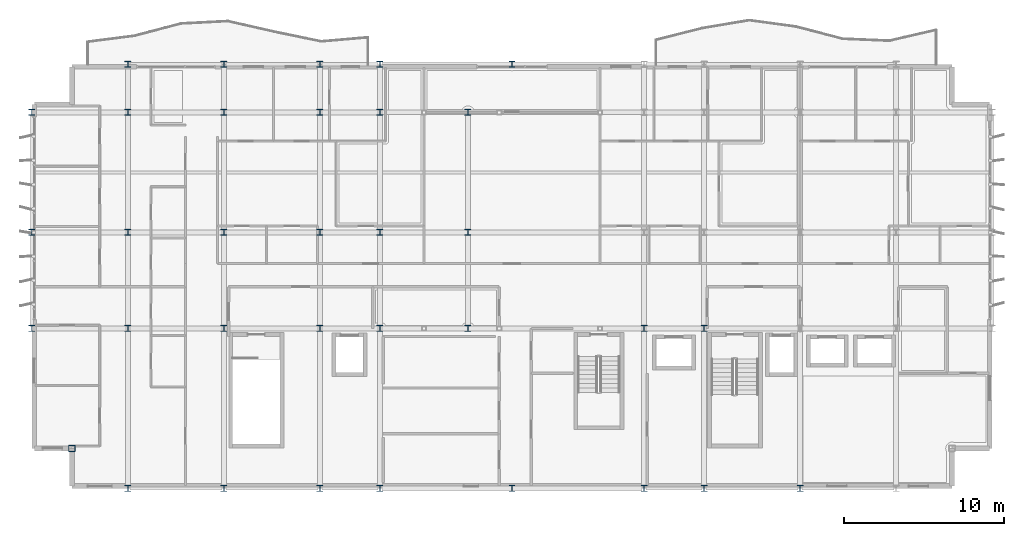
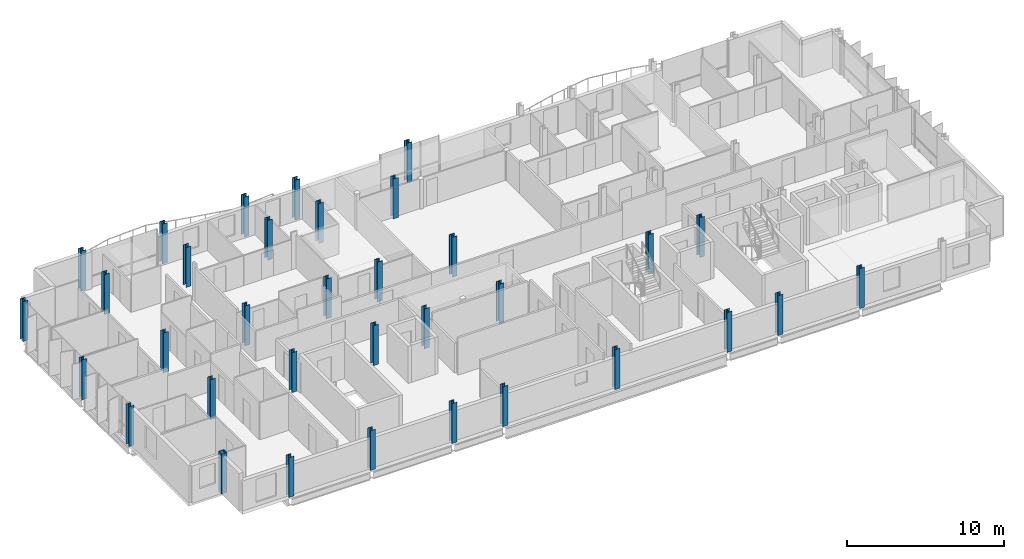
# One storey, part 1 of 35: 34 columns.
"""IFC4 building model written with IfcOpenShell, lengths in metres."""

from ifc_helpers import new_model, si_unit, direction, frame, origin, origin_2d, place, context, subcontext, project, spatial, hollow_rectangle, i_section, extrude, material, material_profile, profile_set, type_object, element, save


model = new_model("IFC4")

# Units and contexts
model_context = context("Model", 3, precision=1e-05, world=origin(), true_north=direction((0.0, 1.0)))
body_context = subcontext(model_context, "Body", "Model", "MODEL_VIEW")
ifc_project = project(units=[si_unit("LENGTHUNIT", "METRE"), si_unit("AREAUNIT", "SQUARE_METRE"), si_unit("VOLUMEUNIT", "CUBIC_METRE"), si_unit("PLANEANGLEUNIT", "RADIAN"), si_unit("MASSUNIT", "GRAM", prefix="KILO")], contexts=[model_context])

# Site, building, storey
site_placement = place(None, origin())
site = spatial("IfcSite", under=ifc_project, at=site_placement, CompositionType="ELEMENT")
building_placement = place(site_placement, origin())
building = spatial("IfcBuilding", under=site, at=building_placement, Name="Brevholm Reach", CompositionType="ELEMENT")
storey_placement = place(building_placement, frame((0.0, 0.0, 218.0)))
storey = spatial("IfcBuildingStorey", under=building, at=storey_placement, Name="L66", CompositionType="ELEMENT", Elevation=218.0)

# Columns
ifc_material_1 = material(Name="Structural Steel S460NH", Category="steel")
ifc_material_profile_1 = material_profile(ifc_material_1, hollow_rectangle(XDim=0.39990234375, YDim=0.39990234375, WallThickness=0.02001953125, InnerFilletRadius=0.011962890625, OuterFilletRadius=0.02392578125, at=origin_2d()), Name="SHS 400x400x20")
ifc_profile_set_1 = profile_set([ifc_material_profile_1], Name="Structural Steel S460NH")
column_type_1 = type_object("IfcColumnType", Name="COL-SHS2", PredefinedType="COLUMN", material=ifc_profile_set_1)
column_placement = place(storey_placement, frame((2.5, 2.5, 0.0), z_axis=(0.0, 0.0, 1.0), x_axis=(1.0, 0.0, 0.0)))
element("IfcColumn", 1, at=column_placement, inside=storey, type_object=column_type_1, Name="L66 Column 04", PredefinedType="COLUMN", context=body_context, shape_type="SweptSolid", body=[
    extrude(hollow_rectangle(XDim=0.39990234375, YDim=0.39990234375, WallThickness=0.02001953125, InnerFilletRadius=0.011962890625, OuterFilletRadius=0.02392578125, at=origin_2d()), origin(), (0.0, 0.0, 1.0), 3.10009765625),
])
ifc_material_2 = material(Name="Structural Steel S355J2", Category="steel")
ifc_material_profile_2 = material_profile(ifc_material_2, i_section(OverallWidth=0.374755859375, OverallDepth=0.37451171875, WebThickness=0.0166015625, FlangeThickness=0.027099609375, FilletRadius=0.01513671875, at=origin_2d()), Name="UKC 356x368x202")
ifc_profile_set_2 = profile_set([ifc_material_profile_2], Name="Structural Steel S355J2")
column_type_2 = type_object("IfcColumnType", Name="COL-UC6", PredefinedType="COLUMN", material=ifc_profile_set_2)
for number, where, z_axis, x_axis, name in (
    (2, (0.0, 10.0, 0.0), (0.0, 0.0, 1.0), (1.0, 0.0, 0.0), "L66 Column 01"),
    (3, (0.0, 16.0, 0.0), (0.0, 0.0, 1.0), (1.0, 0.0, 0.0), "L66 Column 02"),
    (4, (0.0, 23.5, 0.0), (0.0, 0.0, 1.0), (1.0, 0.0, 0.0), "L66 Column 03"),
    (5, (6.0, 0.0, 0.0), (0.0, 0.0, 1.0), (1.0, 0.0, 0.0), "L66 Column 05"),
    (6, (6.0, 10.0, 0.0), (0.0, 0.0, 1.0), (1.0, 0.0, 0.0), "L66 Column 06"),
    (7, (6.0, 16.0, 0.0), (0.0, 0.0, 1.0), (1.0, 0.0, 0.0), "L66 Column 07"),
    (8, (6.0, 23.5, 0.0), (0.0, 0.0, 1.0), (1.0, 0.0, 0.0), "L66 Column 08"),
    (9, (6.0, 26.5, 0.0), (0.0, 0.0, 1.0), (1.0, 0.0, 0.0), "L66 Column 09"),
    (10, (12.0, 0.0, 0.0), (0.0, 0.0, 1.0), (1.0, 0.0, 0.0), "L66 Column 10"),
    (11, (12.0, 10.0, 0.0), (0.0, 0.0, 1.0), (1.0, 0.0, 0.0), "L66 Column 11"),
    (12, (12.0, 16.0, 0.0), (0.0, 0.0, 1.0), (1.0, 0.0, 0.0), "L66 Column 12"),
    (13, (12.0, 23.5, 0.0), (0.0, 0.0, 1.0), (1.0, 0.0, 0.0), "L66 Column 13"),
    (14, (12.0, 26.5, 0.0), (0.0, 0.0, 1.0), (1.0, 0.0, 0.0), "L66 Column 14"),
    (15, (18.0, 0.0, 0.0), (0.0, 0.0, 1.0), (1.0, 0.0, 0.0), "L66 Column 15"),
    (16, (18.0, 10.0, 0.0), (0.0, 0.0, 1.0), (1.0, 0.0, 0.0), "L66 Column 16"),
    (17, (18.0, 16.0, 0.0), (0.0, 0.0, 1.0), (1.0, 0.0, 0.0), "L66 Column 17"),
    (18, (18.0, 23.5, 0.0), (0.0, 0.0, 1.0), (1.0, 0.0, 0.0), "L66 Column 18"),
    (19, (18.0, 26.5, 0.0), (0.0, 0.0, 1.0), (1.0, 0.0, 0.0), "L66 Column 19"),
    (20, (21.75, 0.0, 0.0), (0.0, 0.0, 1.0), (1.0, 0.0, 0.0), "L66 Column 20"),
    (21, (21.75, 10.0, 0.0), (0.0, 0.0, 1.0), (1.0, 0.0, 0.0), "L66 Column 21"),
    (22, (21.75, 16.0, 0.0), (0.0, 0.0, 1.0), (1.0, 0.0, 0.0), "L66 Column 22"),
    (23, (21.75, 23.5, 0.0), (0.0, 0.0, 1.0), (1.0, 0.0, 0.0), "L66 Column 23"),
    (24, (21.75, 26.5, 0.0), (0.0, 0.0, 1.0), (1.0, 0.0, 0.0), "L66 Column 24"),
    (25, (27.25, 10.0, 0.0), (0.0, 0.0, 1.0), (1.0, 0.0, 0.0), "L66 Column 25"),
    (26, (27.25, 16.0, 0.0), (0.0, 0.0, 1.0), (1.0, 0.0, 0.0), "L66 Column 26"),
    (27, (27.25, 23.5, 0.0), (0.0, 0.0, 1.0), (1.0, 0.0, 0.0), "L66 Column 27"),
    (28, (30.0, 0.0, 0.0), (0.0, 0.0, 1.0), (1.0, 0.0, 0.0), "L66 Column 28"),
    (29, (30.0, 26.5, 0.0), (0.0, 0.0, 1.0), (1.0, 0.0, 0.0), "L66 Column 29"),
    (30, (38.25, 0.0, 0.0), (0.0, 0.0, 1.0), (1.0, 0.0, 0.0), "L66 Column 30"),
    (31, (38.25, 10.0, 0.0), (0.0, 0.0, 1.0), (1.0, 0.0, 0.0), "L66 Column 31"),
    (32, (42.0, 0.0, 0.0), (0.0, 0.0, 1.0), (1.0, 0.0, 0.0), "L66 Column 35"),
    (33, (42.0, 10.0, 0.0), (0.0, 0.0, 1.0), (1.0, 0.0, 0.0), "L66 Column 36"),
    (34, (48.0, 0.0, 0.0), (0.0, 0.0, 1.0), (1.0, 0.0, 0.0), "L66 Column 40"),
):
    element("IfcColumn", number, at=place(storey_placement, frame(where, z_axis=z_axis, x_axis=x_axis)), inside=storey, type_object=column_type_2, Name=name, PredefinedType="COLUMN", context=body_context, shape_type="SweptSolid", body=[
        extrude(i_section(OverallWidth=0.374755859375, OverallDepth=0.37451171875, WebThickness=0.0166015625, FlangeThickness=0.027099609375, FilletRadius=0.01513671875, at=origin_2d()), origin(), (0.0, 0.0, 1.0), 3.10009765625),
    ])

save(model, "model.ifc")
